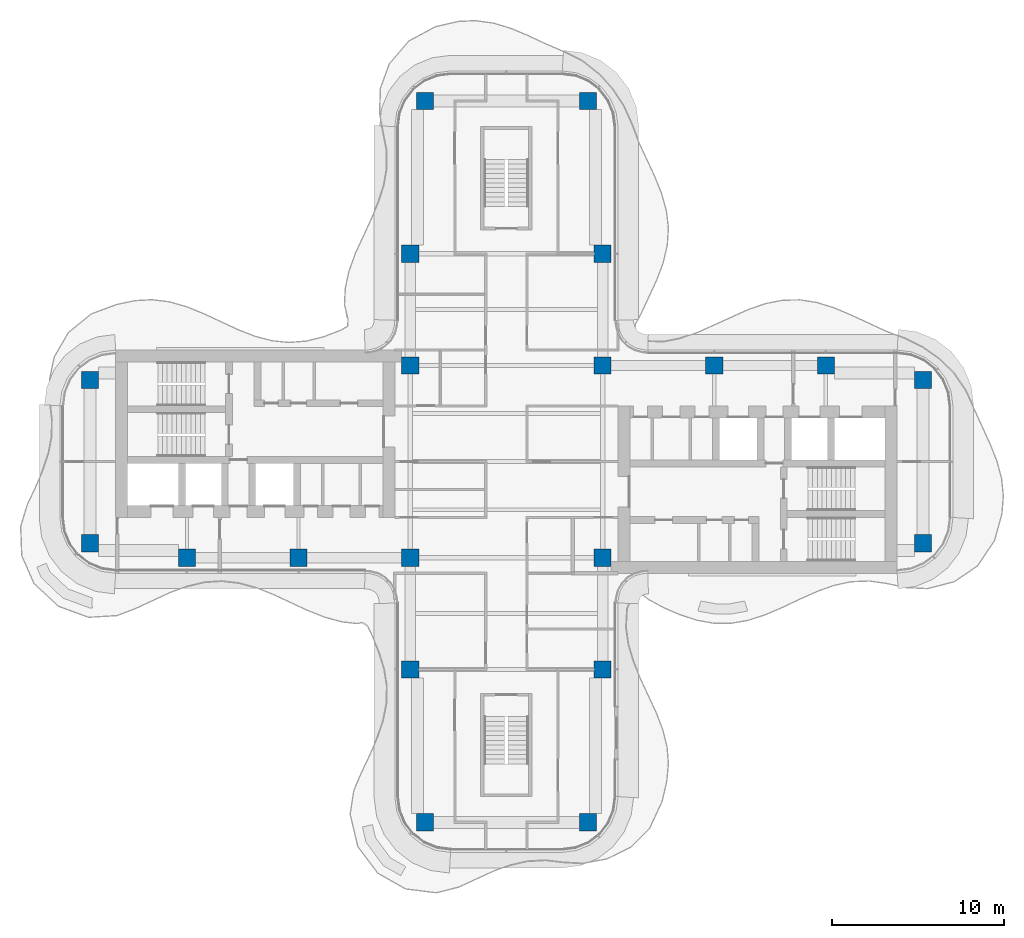
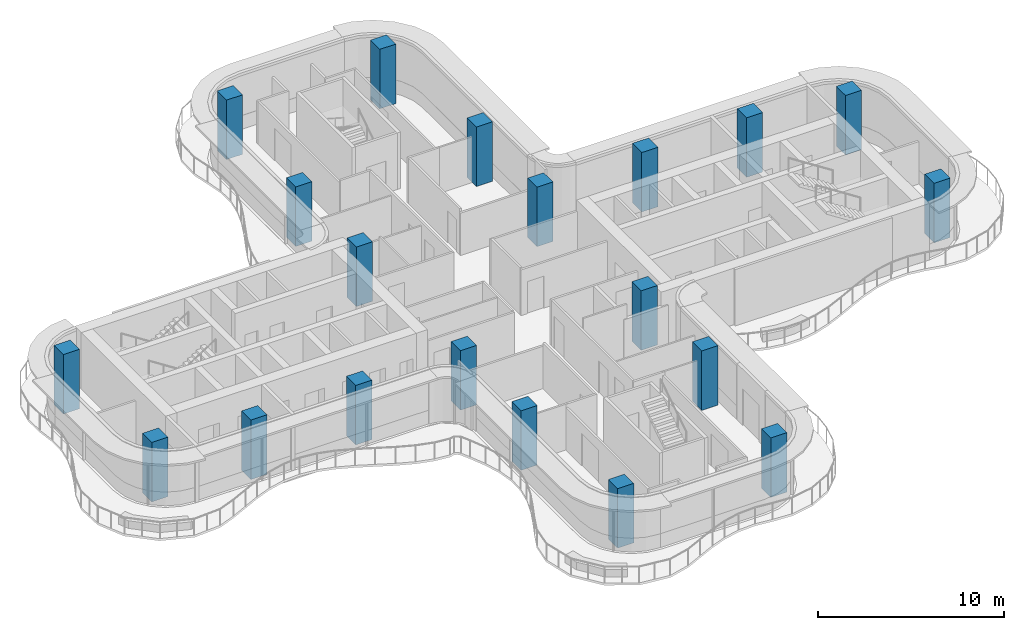
# One storey, part 1 of 16: 20 columns.
"""IFC4 building model written with IfcOpenShell, lengths in metres."""

from ifc_helpers import new_model, si_unit, direction, frame, origin, origin_2d, place, context, subcontext, project, spatial, rectangle, extrude, source, transform, mapped, material, material_profile, profile_set, type_object, element, save


model = new_model("IFC4")

# Units and contexts
model_context = context("Model", 3, precision=1e-05, world=origin(), true_north=direction((0.0, 1.0)))
body_context = subcontext(model_context, "Body", "Model", "MODEL_VIEW")
ifc_project = project(units=[si_unit("LENGTHUNIT", "METRE"), si_unit("AREAUNIT", "SQUARE_METRE"), si_unit("VOLUMEUNIT", "CUBIC_METRE"), si_unit("PLANEANGLEUNIT", "RADIAN"), si_unit("MASSUNIT", "GRAM", prefix="KILO")], contexts=[model_context])

# Site, building, storey
site_placement = place(None, origin())
site = spatial("IfcSite", under=ifc_project, at=site_placement, CompositionType="ELEMENT")
building_placement = place(site_placement, origin())
building = spatial("IfcBuilding", under=site, at=building_placement, Name="Trellis Farm Tower", CompositionType="ELEMENT")
storey_placement = place(building_placement, frame((0.0, 0.0, 291.10009765625)))
storey = spatial("IfcBuildingStorey", under=building, at=storey_placement, Name="L65", CompositionType="ELEMENT", Elevation=291.10009765625)

# Columns
ifc_material = material(Name="Concrete C60/75", Category="concrete")
ifc_material_profile = material_profile(ifc_material, rectangle(XDim=1.0, YDim=1.0, at=origin_2d()), Name="RC column 1000x1000 C60/75")
ifc_profile_set = profile_set([ifc_material_profile], Name="Concrete C60/75")
column_type = type_object("IfcColumnType", Name="RC column 1000x1000 C60/75", PredefinedType="COLUMN", material=ifc_profile_set)
shared_shape = source(origin(), body_context, "Body", "SweptSolid", [
    extrude(rectangle(XDim=1.0, YDim=1.0, at=origin_2d()), origin(), (0.0, 0.0, 1.0), 3.89990234375),
])
for number, where, z_axis, x_axis, name in (
    (1, (12.10009765625, 5.60009765625, 0.0), (0.0, 0.0, 1.0), (1.0, 0.0, 0.0), "Column"),
    (2, (18.60009765625, 5.60009765625, 0.0), (0.0, 0.0, 1.0), (1.0, 0.0, 0.0), "Column"),
    (3, (24.25, 4.75, 0.0), (0.0, 0.0, 1.0), (1.0, 0.0, 0.0), "Column"),
    (4, (24.25, -4.75, 0.0), (0.0, 0.0, 1.0), (1.0, 0.0, 0.0), "Column"),
    (5, (-5.60009765625, 12.10009765625, 0.0), (0.0, 0.0, 1.0), (1.0, 0.0, 0.0), "Column"),
    (6, (-4.75, 21.0, 0.0), (0.0, 0.0, 1.0), (1.0, 0.0, 0.0), "Column"),
    (7, (5.60009765625, 12.10009765625, 0.0), (0.0, 0.0, 1.0), (1.0, 0.0, 0.0), "Column"),
    (8, (4.75, 21.0, 0.0), (0.0, 0.0, 1.0), (1.0, 0.0, 0.0), "Column"),
    (9, (5.60009765625, 5.60009765625, 0.0), (0.0, 0.0, 1.0), (1.0, 0.0, 0.0), "Column"),
    (10, (-5.60009765625, 5.60009765625, 0.0), (0.0, 0.0, 1.0), (1.0, 0.0, 0.0), "Column"),
    (11, (5.60009765625, -5.60009765625, 0.0), (0.0, 0.0, 1.0), (1.0, 0.0, 0.0), "Column"),
    (12, (-5.60009765625, -5.60009765625, 0.0), (0.0, 0.0, 1.0), (1.0, 0.0, 0.0), "Column"),
    (13, (5.60009765625, -12.10009765625, 0.0), (0.0, 0.0, 1.0), (1.0, 0.0, 0.0), "Column"),
    (14, (4.75, -21.0, 0.0), (0.0, 0.0, 1.0), (1.0, 0.0, 0.0), "Column"),
    (15, (-5.60009765625, -12.10009765625, 0.0), (0.0, 0.0, 1.0), (1.0, 0.0, 0.0), "Column"),
    (16, (-4.75, -21.0, 0.0), (0.0, 0.0, 1.0), (1.0, 0.0, 0.0), "Column"),
    (17, (-12.10009765625, -5.60009765625, 0.0), (0.0, 0.0, 1.0), (1.0, 0.0, 0.0), "Column"),
    (18, (-18.60009765625, -5.60009765625, 0.0), (0.0, 0.0, 1.0), (1.0, 0.0, 0.0), "Column"),
    (19, (-24.25, -4.75, 0.0), (0.0, 0.0, 1.0), (1.0, 0.0, 0.0), "Column"),
    (20, (-24.25, 4.75, 0.0), (0.0, 0.0, 1.0), (1.0, 0.0, 0.0), "Column"),
):
    element("IfcColumn", number, at=place(storey_placement, frame(where, z_axis=z_axis, x_axis=x_axis)), inside=storey, type_object=column_type, Name=name, PredefinedType="COLUMN", context=body_context, shape_type="MappedRepresentation", body=[
        mapped(shared_shape, transform((0.0, 0.0, 0.0))),
    ])

save(model, "model.ifc")
